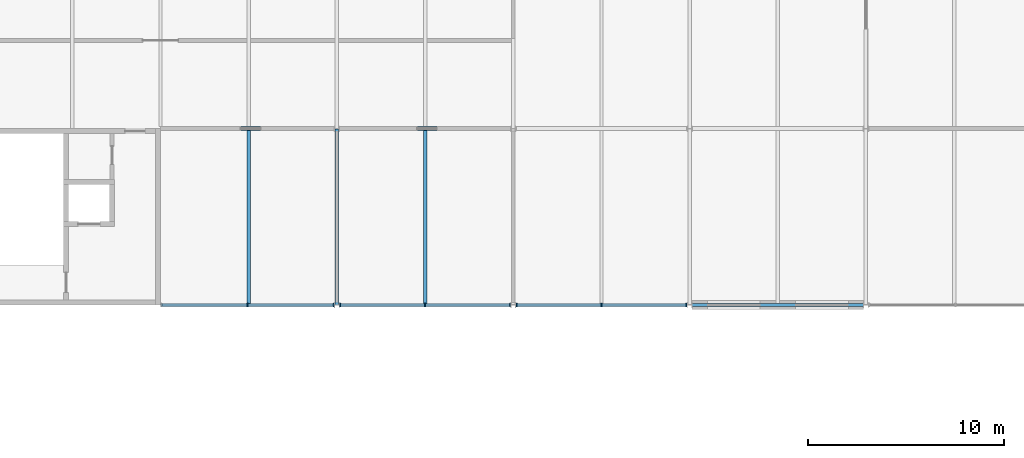
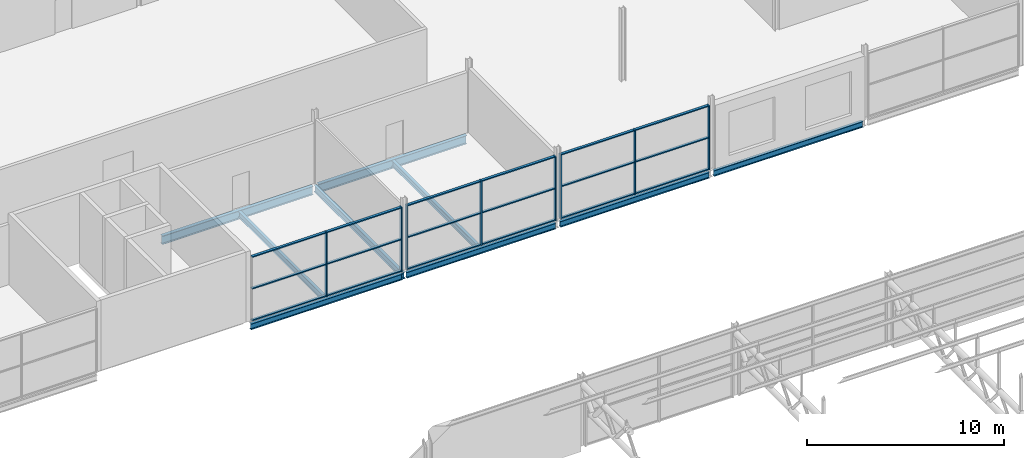
# One storey, part 57 of 138: 26 members, 9 beams, 3 elements without a shape of their own.
"""IFC4 building model written with IfcOpenShell, lengths in metres."""

from ifc_helpers import new_model, si_unit, direction, frame, origin, origin_2d, place, context, subcontext, project, spatial, rectangle, i_section, extrude, material, layer, layer_set, material_profile, profile_set, type_object, element, aggregate, save


model = new_model("IFC4")

# Units and contexts
model_context = context("Model", 3, precision=1e-05, world=origin(), true_north=direction((0.0, 1.0)))
body_context = subcontext(model_context, "Body", "Model", "MODEL_VIEW")
ifc_project = project(units=[si_unit("LENGTHUNIT", "METRE"), si_unit("AREAUNIT", "SQUARE_METRE"), si_unit("VOLUMEUNIT", "CUBIC_METRE"), si_unit("PLANEANGLEUNIT", "RADIAN"), si_unit("MASSUNIT", "GRAM", prefix="KILO")], contexts=[model_context])

# Site, building, storey
site_placement = place(None, origin())
site = spatial("IfcSite", under=ifc_project, at=site_placement, CompositionType="ELEMENT")
building_placement = place(site_placement, origin())
building = spatial("IfcBuilding", under=site, at=building_placement, Name="Corbel Yard City Hall", CompositionType="ELEMENT")
storey_placement = place(building_placement, frame((0.0, 0.0, 10.5)))
storey = spatial("IfcBuildingStorey", under=building, at=storey_placement, Name="L02", CompositionType="ELEMENT", Elevation=10.5)

# Beams
ifc_material_1 = material(Name="Steel Grade 300 (300 MPa yield)", Category="steel")
ifc_material_profile_1 = material_profile(ifc_material_1, i_section(OverallWidth=0.177978515625, OverallDepth=0.403076171875, WebThickness=0.007568359375, FlangeThickness=0.010986328125, at=origin_2d()), Name="410UB53.7")
ifc_profile_set_1 = profile_set([ifc_material_profile_1], Name="Steel Grade 300 (300 MPa yield)")
beam_type_1 = type_object("IfcBeamType", Name="Beam 410UB53.7", PredefinedType="BEAM", material=ifc_profile_set_1)
beam_1_placement = place(storey_placement, frame((72.0, 45.00537109375, -0.3515625), z_axis=(0.0, 1.0, 0.0), x_axis=(-1.0, 0.0, 0.0)))
element("IfcBeam", 1, at=beam_1_placement, inside=storey, type_object=beam_type_1, Name="Beam 410UB53.7 SB6 L02floor", PredefinedType="BEAM", context=body_context, shape_type="SweptSolid", body=[
    extrude(i_section(OverallWidth=0.177978515625, OverallDepth=0.403076171875, WebThickness=0.007568359375, FlangeThickness=0.010986328125, at=origin_2d()), origin(), (0.0, 0.0, 1.0), 8.98876953125),
])
ifc_material_profile_2 = material_profile(ifc_material_1, i_section(OverallWidth=0.172119140625, OverallDepth=0.35888671875, WebThickness=0.008056640625, FlangeThickness=0.012939453125, at=origin_2d()), Name="360UB56.7")
ifc_profile_set_2 = profile_set([ifc_material_profile_2], Name="Steel Grade 300 (300 MPa yield)")
beam_type_2 = type_object("IfcBeamType", Name="Edge beam 360UB56.7", PredefinedType="BEAM", material=ifc_profile_set_2)
beam_2_placement = place(storey_placement, frame((63.0, 45.0, -0.32958984375), z_axis=(1.0, 0.0, 0.0), x_axis=(0.0, 1.0, 0.0)))
element("IfcBeam", 2, at=beam_2_placement, inside=storey, type_object=beam_type_2, Name="Edge beam 360UB56.7 EB4 L02floor", PredefinedType="BEAM", context=body_context, shape_type="SweptSolid", body=[
    extrude(i_section(OverallWidth=0.172119140625, OverallDepth=0.35888671875, WebThickness=0.008056640625, FlangeThickness=0.012939453125, at=origin_2d()), origin(), (0.0, 0.0, 1.0), 8.8701171875),
])
for number, where, z_axis, x_axis, name in (
    (3, (72.1298828125, 45.0, -0.32958984375), (1.0, 0.0, 0.0), (0.0, 1.0, 0.0), "Edge beam 360UB56.7 EB4 L02floor"),
    (4, (81.1298828125, 45.0, -0.32958984375), (1.0, 0.0, 0.0), (0.0, 1.0, 0.0), "Edge beam 360UB56.7 EB4 L02floor"),
    (5, (90.1298828125, 45.0, -0.32958984375), (1.0, 0.0, 0.0), (0.0, 1.0, 0.0), "Edge beam 360UB56.7 EB4 L02floor"),
):
    element("IfcBeam", number, at=place(storey_placement, frame(where, z_axis=z_axis, x_axis=x_axis)), inside=storey, type_object=beam_type_2, Name=name, PredefinedType="BEAM", context=body_context, shape_type="SweptSolid", body=[
        extrude(i_section(OverallWidth=0.172119140625, OverallDepth=0.35888671875, WebThickness=0.008056640625, FlangeThickness=0.012939453125, at=origin_2d()), origin(), (0.0, 0.0, 1.0), 8.740234375),
    ])
ifc_material_profile_3 = material_profile(ifc_material_1, i_section(OverallWidth=0.208984375, OverallDepth=0.528076171875, WebThickness=0.009521484375, FlangeThickness=0.01318359375, at=origin_2d()), Name="530UB82.0")
ifc_profile_set_3 = profile_set([ifc_material_profile_3], Name="Steel Grade 300 (300 MPa yield)")
beam_type_3 = type_object("IfcBeamType", Name="Girder 530UB82.0", PredefinedType="BEAM", material=ifc_profile_set_3)
beam_3_placement = place(storey_placement, frame((63.0, 54.0, -0.4140625), z_axis=(1.0, 0.0, 0.0), x_axis=(0.0, 1.0, 0.0)))
element("IfcBeam", 6, at=beam_3_placement, inside=storey, type_object=beam_type_3, Name="Girder 530UB82.0 GB3 L02floor", PredefinedType="BEAM", context=body_context, shape_type="SweptSolid", body=[
    extrude(i_section(OverallWidth=0.208984375, OverallDepth=0.528076171875, WebThickness=0.009521484375, FlangeThickness=0.01318359375, at=origin_2d()), origin(), (0.0, 0.0, 1.0), 8.842529296875),
])
beam_4_placement = place(storey_placement, frame((72.157470703125, 54.0, -0.4140625), z_axis=(1.0, 0.0, 0.0), x_axis=(0.0, 1.0, 0.0)))
element("IfcBeam", 7, at=beam_4_placement, inside=storey, type_object=beam_type_3, Name="Girder 530UB82.0 GB3 L02floor", PredefinedType="BEAM", context=body_context, shape_type="SweptSolid", body=[
    extrude(i_section(OverallWidth=0.208984375, OverallDepth=0.528076171875, WebThickness=0.009521484375, FlangeThickness=0.01318359375, at=origin_2d()), origin(), (0.0, 0.0, 1.0), 8.68505859375),
])

# Curtain wall, members
ifc_material_2 = material(Name="Aluminium extrusion", Category="aluminium")
ifc_layer = layer(ifc_material_2, 0.199951171875)
ifc_layer_set = layer_set([ifc_layer], Name="Aluminium extrusion")
curtain_wall_type = type_object("IfcCurtainWallType", Name="CW1", PredefinedType="USERDEFINED", material=ifc_layer_set)
curtain_wall_1_placement = place(storey_placement, origin())
curtain_wall_1 = element("IfcCurtainWall", 8, at=curtain_wall_1_placement, inside=storey, type_object=curtain_wall_type, Name="Curtain wall CW1 L02", ObjectType="CURTAIN WALL", PredefinedType="USERDEFINED")
ifc_material_profile_4 = material_profile(ifc_material_2, rectangle(XDim=0.199951171875, YDim=0.06494140625, at=origin_2d()), Name="200x65")
ifc_profile_set_4 = profile_set([ifc_material_profile_4], Name="Aluminium extrusion")
member_type_1 = type_object("IfcMemberType", Name="ML1", PredefinedType="MULLION", material=ifc_profile_set_4)
member_1_placement = place(storey_placement, frame((67.4365234375, 45.0, 0.0), z_axis=(0.0, 0.0, 1.0), x_axis=(0.0, 1.0, 0.0)))
member_1 = element("IfcMember", 9, at=member_1_placement, type_object=member_type_1, Name="CW1 mullion 2", PredefinedType="MULLION", context=body_context, shape_type="SweptSolid", body=[
    extrude(rectangle(XDim=0.199951171875, YDim=0.06494140625, at=origin_2d()), origin(), (0.0, 0.0, 1.0), 3.990966796875),
])
member_2_placement = place(storey_placement, frame((71.840576171875, 45.0, 0.0), z_axis=(0.0, 0.0, 1.0), x_axis=(0.0, 1.0, 0.0)))
member_2 = element("IfcMember", 10, at=member_2_placement, type_object=member_type_1, Name="CW1 mullion 3", PredefinedType="MULLION", context=body_context, shape_type="SweptSolid", body=[
    extrude(rectangle(XDim=0.199951171875, YDim=0.06494140625, at=origin_2d()), origin(), (0.0, 0.0, 1.0), 3.990966796875),
])

curtain_wall_2_placement = place(storey_placement, origin())
curtain_wall_2 = element("IfcCurtainWall", 11, at=curtain_wall_2_placement, inside=storey, type_object=curtain_wall_type, Name="Curtain wall CW1 L02", ObjectType="CURTAIN WALL", PredefinedType="USERDEFINED")
member_3_placement = place(storey_placement, frame((72.159423828125, 45.0, 0.0), z_axis=(0.0, 0.0, 1.0), x_axis=(0.0, 1.0, 0.0)))
member_3 = element("IfcMember", 12, at=member_3_placement, type_object=member_type_1, Name="CW1 mullion 1", PredefinedType="MULLION", context=body_context, shape_type="SweptSolid", body=[
    extrude(rectangle(XDim=0.199951171875, YDim=0.06494140625, at=origin_2d()), origin(), (0.0, 0.0, 1.0), 3.990966796875),
])
member_4_placement = place(storey_placement, frame((76.5, 45.0, 0.0), z_axis=(0.0, 0.0, 1.0), x_axis=(0.0, 1.0, 0.0)))
member_4 = element("IfcMember", 13, at=member_4_placement, type_object=member_type_1, Name="CW1 mullion 2", PredefinedType="MULLION", context=body_context, shape_type="SweptSolid", body=[
    extrude(rectangle(XDim=0.199951171875, YDim=0.06494140625, at=origin_2d()), origin(), (0.0, 0.0, 1.0), 3.990966796875),
])
member_5_placement = place(storey_placement, frame((80.840576171875, 45.0, 0.0), z_axis=(0.0, 0.0, 1.0), x_axis=(0.0, 1.0, 0.0)))
member_5 = element("IfcMember", 14, at=member_5_placement, type_object=member_type_1, Name="CW1 mullion 3", PredefinedType="MULLION", context=body_context, shape_type="SweptSolid", body=[
    extrude(rectangle(XDim=0.199951171875, YDim=0.06494140625, at=origin_2d()), origin(), (0.0, 0.0, 1.0), 3.990966796875),
])

curtain_wall_3_placement = place(storey_placement, origin())
curtain_wall_3 = element("IfcCurtainWall", 15, at=curtain_wall_3_placement, inside=storey, type_object=curtain_wall_type, Name="Curtain wall CW1 L02", ObjectType="CURTAIN WALL", PredefinedType="USERDEFINED")
member_6_placement = place(storey_placement, frame((81.159423828125, 45.0, 0.0), z_axis=(0.0, 0.0, 1.0), x_axis=(0.0, 1.0, 0.0)))
member_6 = element("IfcMember", 16, at=member_6_placement, type_object=member_type_1, Name="CW1 mullion 1", PredefinedType="MULLION", context=body_context, shape_type="SweptSolid", body=[
    extrude(rectangle(XDim=0.199951171875, YDim=0.06494140625, at=origin_2d()), origin(), (0.0, 0.0, 1.0), 3.990966796875),
])
member_7_placement = place(storey_placement, frame((85.5, 45.0, 0.0), z_axis=(0.0, 0.0, 1.0), x_axis=(0.0, 1.0, 0.0)))
member_7 = element("IfcMember", 17, at=member_7_placement, type_object=member_type_1, Name="CW1 mullion 2", PredefinedType="MULLION", context=body_context, shape_type="SweptSolid", body=[
    extrude(rectangle(XDim=0.199951171875, YDim=0.06494140625, at=origin_2d()), origin(), (0.0, 0.0, 1.0), 3.990966796875),
])
member_8_placement = place(storey_placement, frame((89.840576171875, 45.0, 0.0), z_axis=(0.0, 0.0, 1.0), x_axis=(0.0, 1.0, 0.0)))
member_8 = element("IfcMember", 18, at=member_8_placement, type_object=member_type_1, Name="CW1 mullion 3", PredefinedType="MULLION", context=body_context, shape_type="SweptSolid", body=[
    extrude(rectangle(XDim=0.199951171875, YDim=0.06494140625, at=origin_2d()), origin(), (0.0, 0.0, 1.0), 3.990966796875),
])

# Beams
ifc_material_profile_5 = material_profile(ifc_material_1, i_section(OverallWidth=0.1708984375, OverallDepth=0.35595703125, WebThickness=0.00732421875, FlangeThickness=0.011474609375, at=origin_2d()), Name="360UB50.7")
ifc_profile_set_5 = profile_set([ifc_material_profile_5], Name="Steel Grade 300 (300 MPa yield)")
beam_type_4 = type_object("IfcBeamType", Name="Secondary beam 360UB50.7", PredefinedType="JOIST", material=ifc_profile_set_5)
for number, where, z_axis, x_axis, name in (
    (19, (67.5, 45.0859375, -0.327880859375), (0.0, 1.0, 0.0), (-1.0, 0.0, 0.0), "Secondary beam 360UB50.7 SB10 L02floor"),
    (20, (76.5, 45.0859375, -0.327880859375), (0.0, 1.0, 0.0), (-1.0, 0.0, 0.0), "Secondary beam 360UB50.7 SB10 L02floor"),
):
    element("IfcBeam", number, at=place(storey_placement, frame(where, z_axis=z_axis, x_axis=x_axis)), inside=storey, type_object=beam_type_4, Name=name, PredefinedType="JOIST", context=body_context, shape_type="SweptSolid", body=[
        extrude(i_section(OverallWidth=0.1708984375, OverallDepth=0.35595703125, WebThickness=0.00732421875, FlangeThickness=0.011474609375, at=origin_2d()), origin(), (0.0, 0.0, 1.0), 8.8095703125),
    ])

# Member
ifc_material_profile_6 = material_profile(ifc_material_2, rectangle(XDim=0.14990234375, YDim=0.06494140625, at=origin_2d()), Name="150x65")
ifc_profile_set_6 = profile_set([ifc_material_profile_6], Name="Aluminium extrusion")
member_type_2 = type_object("IfcMemberType", Name="TR1", PredefinedType="USERDEFINED", material=ifc_profile_set_6)
member_9_placement = place(storey_placement, frame((63.06494140625, 45.0, 0.032470703125), z_axis=(1.0, 0.0, 0.0), x_axis=(0.0, 1.0, 0.0)))
member_9 = element("IfcMember", 21, at=member_9_placement, type_object=member_type_2, Name="CW1 transom 1.1", ObjectType="TRANSOM", PredefinedType="USERDEFINED", context=body_context, shape_type="SweptSolid", body=[
    extrude(rectangle(XDim=0.14990234375, YDim=0.06494140625, at=origin_2d()), origin(), (0.0, 0.0, 1.0), 4.339111328125),
])

member_10_placement = place(storey_placement, frame((63.06494140625, 45.0, 1.99560546875), z_axis=(1.0, 0.0, 0.0), x_axis=(0.0, 1.0, 0.0)))
member_10 = element("IfcMember", 22, at=member_10_placement, type_object=member_type_2, Name="CW1 transom 1.2", ObjectType="TRANSOM", PredefinedType="USERDEFINED", context=body_context, shape_type="SweptSolid", body=[
    extrude(rectangle(XDim=0.14990234375, YDim=0.06494140625, at=origin_2d()), origin(), (0.0, 0.0, 1.0), 4.339111328125),
])

member_11_placement = place(storey_placement, frame((63.06494140625, 45.0, 3.95849609375), z_axis=(1.0, 0.0, 0.0), x_axis=(0.0, 1.0, 0.0)))
member_11 = element("IfcMember", 23, at=member_11_placement, type_object=member_type_2, Name="CW1 transom 1.3", ObjectType="TRANSOM", PredefinedType="USERDEFINED", context=body_context, shape_type="SweptSolid", body=[
    extrude(rectangle(XDim=0.14990234375, YDim=0.06494140625, at=origin_2d()), origin(), (0.0, 0.0, 1.0), 4.339111328125),
])

member_12_placement = place(storey_placement, frame((67.468994140625, 45.0, 0.032470703125), z_axis=(1.0, 0.0, 0.0), x_axis=(0.0, 1.0, 0.0)))
member_12 = element("IfcMember", 24, at=member_12_placement, type_object=member_type_2, Name="CW1 transom 2.1", ObjectType="TRANSOM", PredefinedType="USERDEFINED", context=body_context, shape_type="SweptSolid", body=[
    extrude(rectangle(XDim=0.14990234375, YDim=0.06494140625, at=origin_2d()), origin(), (0.0, 0.0, 1.0), 4.339111328125),
])

member_13_placement = place(storey_placement, frame((67.468994140625, 45.0, 1.99560546875), z_axis=(1.0, 0.0, 0.0), x_axis=(0.0, 1.0, 0.0)))
member_13 = element("IfcMember", 25, at=member_13_placement, type_object=member_type_2, Name="CW1 transom 2.2", ObjectType="TRANSOM", PredefinedType="USERDEFINED", context=body_context, shape_type="SweptSolid", body=[
    extrude(rectangle(XDim=0.14990234375, YDim=0.06494140625, at=origin_2d()), origin(), (0.0, 0.0, 1.0), 4.339111328125),
])

member_14_placement = place(storey_placement, frame((67.468994140625, 45.0, 3.95849609375), z_axis=(1.0, 0.0, 0.0), x_axis=(0.0, 1.0, 0.0)))
member_14 = element("IfcMember", 26, at=member_14_placement, type_object=member_type_2, Name="CW1 transom 2.3", ObjectType="TRANSOM", PredefinedType="USERDEFINED", context=body_context, shape_type="SweptSolid", body=[
    extrude(rectangle(XDim=0.14990234375, YDim=0.06494140625, at=origin_2d()), origin(), (0.0, 0.0, 1.0), 4.339111328125),
])

aggregate(curtain_wall_1, [member_1, member_2, member_9, member_10, member_11, member_12, member_13, member_14])

member_15_placement = place(storey_placement, frame((72.19189453125, 45.0, 0.032470703125), z_axis=(1.0, 0.0, 0.0), x_axis=(0.0, 1.0, 0.0)))
member_15 = element("IfcMember", 27, at=member_15_placement, type_object=member_type_2, Name="CW1 transom 1.1", ObjectType="TRANSOM", PredefinedType="USERDEFINED", context=body_context, shape_type="SweptSolid", body=[
    extrude(rectangle(XDim=0.14990234375, YDim=0.06494140625, at=origin_2d()), origin(), (0.0, 0.0, 1.0), 4.275634765625),
])

member_16_placement = place(storey_placement, frame((72.19189453125, 45.0, 1.99560546875), z_axis=(1.0, 0.0, 0.0), x_axis=(0.0, 1.0, 0.0)))
member_16 = element("IfcMember", 28, at=member_16_placement, type_object=member_type_2, Name="CW1 transom 1.2", ObjectType="TRANSOM", PredefinedType="USERDEFINED", context=body_context, shape_type="SweptSolid", body=[
    extrude(rectangle(XDim=0.14990234375, YDim=0.06494140625, at=origin_2d()), origin(), (0.0, 0.0, 1.0), 4.275634765625),
])

member_17_placement = place(storey_placement, frame((72.19189453125, 45.0, 3.95849609375), z_axis=(1.0, 0.0, 0.0), x_axis=(0.0, 1.0, 0.0)))
member_17 = element("IfcMember", 29, at=member_17_placement, type_object=member_type_2, Name="CW1 transom 1.3", ObjectType="TRANSOM", PredefinedType="USERDEFINED", context=body_context, shape_type="SweptSolid", body=[
    extrude(rectangle(XDim=0.14990234375, YDim=0.06494140625, at=origin_2d()), origin(), (0.0, 0.0, 1.0), 4.275634765625),
])

member_18_placement = place(storey_placement, frame((76.532470703125, 45.0, 0.032470703125), z_axis=(1.0, 0.0, 0.0), x_axis=(0.0, 1.0, 0.0)))
member_18 = element("IfcMember", 30, at=member_18_placement, type_object=member_type_2, Name="CW1 transom 2.1", ObjectType="TRANSOM", PredefinedType="USERDEFINED", context=body_context, shape_type="SweptSolid", body=[
    extrude(rectangle(XDim=0.14990234375, YDim=0.06494140625, at=origin_2d()), origin(), (0.0, 0.0, 1.0), 4.275634765625),
])

member_19_placement = place(storey_placement, frame((76.532470703125, 45.0, 1.99560546875), z_axis=(1.0, 0.0, 0.0), x_axis=(0.0, 1.0, 0.0)))
member_19 = element("IfcMember", 31, at=member_19_placement, type_object=member_type_2, Name="CW1 transom 2.2", ObjectType="TRANSOM", PredefinedType="USERDEFINED", context=body_context, shape_type="SweptSolid", body=[
    extrude(rectangle(XDim=0.14990234375, YDim=0.06494140625, at=origin_2d()), origin(), (0.0, 0.0, 1.0), 4.275634765625),
])

member_20_placement = place(storey_placement, frame((76.532470703125, 45.0, 3.95849609375), z_axis=(1.0, 0.0, 0.0), x_axis=(0.0, 1.0, 0.0)))
member_20 = element("IfcMember", 32, at=member_20_placement, type_object=member_type_2, Name="CW1 transom 2.3", ObjectType="TRANSOM", PredefinedType="USERDEFINED", context=body_context, shape_type="SweptSolid", body=[
    extrude(rectangle(XDim=0.14990234375, YDim=0.06494140625, at=origin_2d()), origin(), (0.0, 0.0, 1.0), 4.275634765625),
])

aggregate(curtain_wall_2, [member_3, member_4, member_5, member_15, member_16, member_17, member_18, member_19, member_20])

member_21_placement = place(storey_placement, frame((81.19189453125, 45.0, 0.032470703125), z_axis=(1.0, 0.0, 0.0), x_axis=(0.0, 1.0, 0.0)))
member_21 = element("IfcMember", 33, at=member_21_placement, type_object=member_type_2, Name="CW1 transom 1.1", ObjectType="TRANSOM", PredefinedType="USERDEFINED", context=body_context, shape_type="SweptSolid", body=[
    extrude(rectangle(XDim=0.14990234375, YDim=0.06494140625, at=origin_2d()), origin(), (0.0, 0.0, 1.0), 4.275634765625),
])

member_22_placement = place(storey_placement, frame((81.19189453125, 45.0, 1.99560546875), z_axis=(1.0, 0.0, 0.0), x_axis=(0.0, 1.0, 0.0)))
member_22 = element("IfcMember", 34, at=member_22_placement, type_object=member_type_2, Name="CW1 transom 1.2", ObjectType="TRANSOM", PredefinedType="USERDEFINED", context=body_context, shape_type="SweptSolid", body=[
    extrude(rectangle(XDim=0.14990234375, YDim=0.06494140625, at=origin_2d()), origin(), (0.0, 0.0, 1.0), 4.275634765625),
])

member_23_placement = place(storey_placement, frame((81.19189453125, 45.0, 3.95849609375), z_axis=(1.0, 0.0, 0.0), x_axis=(0.0, 1.0, 0.0)))
member_23 = element("IfcMember", 35, at=member_23_placement, type_object=member_type_2, Name="CW1 transom 1.3", ObjectType="TRANSOM", PredefinedType="USERDEFINED", context=body_context, shape_type="SweptSolid", body=[
    extrude(rectangle(XDim=0.14990234375, YDim=0.06494140625, at=origin_2d()), origin(), (0.0, 0.0, 1.0), 4.275634765625),
])

member_24_placement = place(storey_placement, frame((85.532470703125, 45.0, 0.032470703125), z_axis=(1.0, 0.0, 0.0), x_axis=(0.0, 1.0, 0.0)))
member_24 = element("IfcMember", 36, at=member_24_placement, type_object=member_type_2, Name="CW1 transom 2.1", ObjectType="TRANSOM", PredefinedType="USERDEFINED", context=body_context, shape_type="SweptSolid", body=[
    extrude(rectangle(XDim=0.14990234375, YDim=0.06494140625, at=origin_2d()), origin(), (0.0, 0.0, 1.0), 4.275634765625),
])

member_25_placement = place(storey_placement, frame((85.532470703125, 45.0, 1.99560546875), z_axis=(1.0, 0.0, 0.0), x_axis=(0.0, 1.0, 0.0)))
member_25 = element("IfcMember", 37, at=member_25_placement, type_object=member_type_2, Name="CW1 transom 2.2", ObjectType="TRANSOM", PredefinedType="USERDEFINED", context=body_context, shape_type="SweptSolid", body=[
    extrude(rectangle(XDim=0.14990234375, YDim=0.06494140625, at=origin_2d()), origin(), (0.0, 0.0, 1.0), 4.275634765625),
])

member_26_placement = place(storey_placement, frame((85.532470703125, 45.0, 3.95849609375), z_axis=(1.0, 0.0, 0.0), x_axis=(0.0, 1.0, 0.0)))
member_26 = element("IfcMember", 38, at=member_26_placement, type_object=member_type_2, Name="CW1 transom 2.3", ObjectType="TRANSOM", PredefinedType="USERDEFINED", context=body_context, shape_type="SweptSolid", body=[
    extrude(rectangle(XDim=0.14990234375, YDim=0.06494140625, at=origin_2d()), origin(), (0.0, 0.0, 1.0), 4.275634765625),
])

aggregate(curtain_wall_3, [member_6, member_7, member_8, member_21, member_22, member_23, member_24, member_25, member_26])

save(model, "model.ifc")
